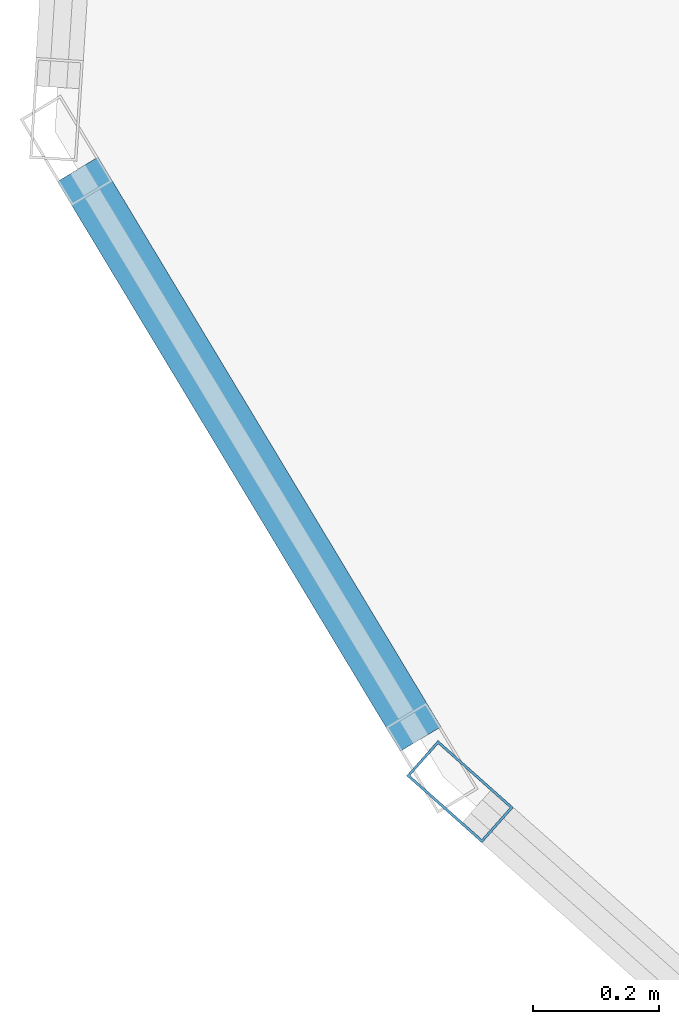
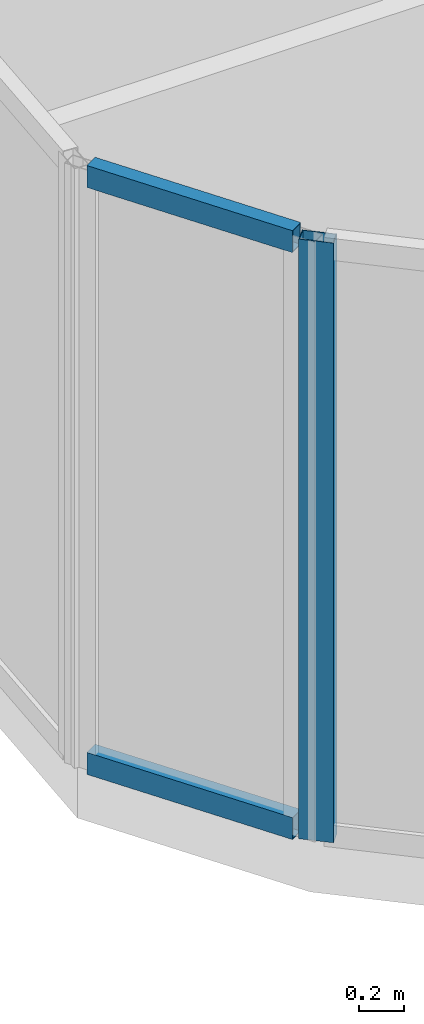
# One storey, part 4 of 27: 3 members, 2 elements without a shape of their own.
"""IFC4 building model written with IfcOpenShell, lengths in metres."""

from ifc_helpers import new_model, si_unit, direction, frame, origin, origin_2d, place, context, subcontext, project, spatial, hollow_rectangle, extrude, material, layer, layer_set, material_profile, profile_set, type_object, element, aggregate, save


model = new_model("IFC4")

# Units and contexts
model_context = context("Model", 3, precision=1e-05, world=origin(), true_north=direction((0.0, 1.0)))
body_context = subcontext(model_context, "Body", "Model", "MODEL_VIEW")
ifc_project = project(units=[si_unit("LENGTHUNIT", "METRE"), si_unit("AREAUNIT", "SQUARE_METRE"), si_unit("VOLUMEUNIT", "CUBIC_METRE"), si_unit("PLANEANGLEUNIT", "RADIAN"), si_unit("MASSUNIT", "GRAM", prefix="KILO")], contexts=[model_context])

# Site, building, storey
site_placement = place(None, origin())
site = spatial("IfcSite", under=ifc_project, at=site_placement, CompositionType="ELEMENT")
building_placement = place(site_placement, origin())
building = spatial("IfcBuilding", under=site, at=building_placement, Name="Keshet Zoharim Tower", CompositionType="ELEMENT")
storey_placement = place(building_placement, frame((0.0, 0.0, 311.0)))
storey = spatial("IfcBuildingStorey", under=building, at=storey_placement, Name="L78", CompositionType="ELEMENT", Elevation=311.0)

# Curtain wall, member
ifc_material = material(Name="Aluminium 6063-T6", Category="aluminium")
ifc_layer = layer(ifc_material, 0.260009765625)
ifc_layer_set = layer_set([ifc_layer], Name="Aluminium 6063-T6")
curtain_wall_type = type_object("IfcCurtainWallType", Name="CW-SYS-06", PredefinedType="NOTDEFINED", material=ifc_layer_set)
curtain_wall_1_placement = place(storey_placement, origin())
curtain_wall_1 = element("IfcCurtainWall", 1, at=curtain_wall_1_placement, inside=storey, type_object=curtain_wall_type, Name="L78 Unitised Curtain Wall 16 Part 3", PredefinedType="NOTDEFINED")
ifc_material_profile_1 = material_profile(ifc_material, hollow_rectangle(XDim=0.074951171875, YDim=0.159912109375, WallThickness=0.00390625, at=origin_2d()), Name="MUL-75x160")
ifc_profile_set_1 = profile_set([ifc_material_profile_1], Name="Aluminium 6063-T6")
member_type_1 = type_object("IfcMemberType", Name="CWM-M15", PredefinedType="MULLION", material=ifc_profile_set_1)
member_1_placement = place(storey_placement, frame((4.061279296875, 21.7568359375, 0.0), z_axis=(0.0, 0.0, 1.0), x_axis=(-0.664357881863, -0.747414613723, 0.0)))
member_1 = element("IfcMember", 2, at=member_1_placement, type_object=member_type_1, Name="CW-06 mullion 2", PredefinedType="MULLION", context=body_context, shape_type="SweptSolid", body=[
    extrude(hollow_rectangle(XDim=0.074951171875, YDim=0.159912109375, WallThickness=0.00390625, at=origin_2d()), origin(), (0.0, 0.0, 1.0), 3.280029296875),
])
aggregate(curtain_wall_1, [member_1])

# Curtain wall, members
curtain_wall_2_placement = place(storey_placement, origin())
curtain_wall_2 = element("IfcCurtainWall", 3, at=curtain_wall_2_placement, inside=storey, type_object=curtain_wall_type, Name="L78 Unitised Curtain Wall 01", PredefinedType="NOTDEFINED")
ifc_material_profile_2 = material_profile(ifc_material, hollow_rectangle(XDim=0.074951171875, YDim=0.1201171875, WallThickness=0.00390625, at=origin_2d()), Name="TRN-75x120")
ifc_profile_set_2 = profile_set([ifc_material_profile_2], Name="Aluminium 6063-T6")
member_type_2 = type_object("IfcMemberType", Name="CWT-T12", PredefinedType="USERDEFINED", material=ifc_profile_set_2)
member_2_placement = place(storey_placement, frame((3.9990234375, 21.840087890625, 0.034912109375), z_axis=(-0.515791194107, 0.856714330499, 0.0), x_axis=(-0.856714330499, -0.515791194107, 0.0)))
member_2 = element("IfcMember", 4, at=member_2_placement, type_object=member_type_2, Name="CW-06 transom 1.1", ObjectType="TRANSOM", PredefinedType="USERDEFINED", context=body_context, shape_type="SweptSolid", body=[
    extrude(hollow_rectangle(XDim=0.074951171875, YDim=0.1201171875, WallThickness=0.00390625, at=origin_2d()), origin(), (0.0, 0.0, 1.0), 1.052734375),
])
member_3_placement = place(storey_placement, frame((3.9990234375, 21.840087890625, 3.2451171875), z_axis=(-0.515791194107, 0.856714330499, 0.0), x_axis=(-0.856714330499, -0.515791194107, 0.0)))
member_3 = element("IfcMember", 5, at=member_3_placement, type_object=member_type_2, Name="CW-06 transom 1.2", ObjectType="TRANSOM", PredefinedType="USERDEFINED", context=body_context, shape_type="SweptSolid", body=[
    extrude(hollow_rectangle(XDim=0.074951171875, YDim=0.1201171875, WallThickness=0.00390625, at=origin_2d()), origin(), (0.0, 0.0, 1.0), 1.052734375),
])
aggregate(curtain_wall_2, [member_2, member_3])

save(model, "model.ifc")
